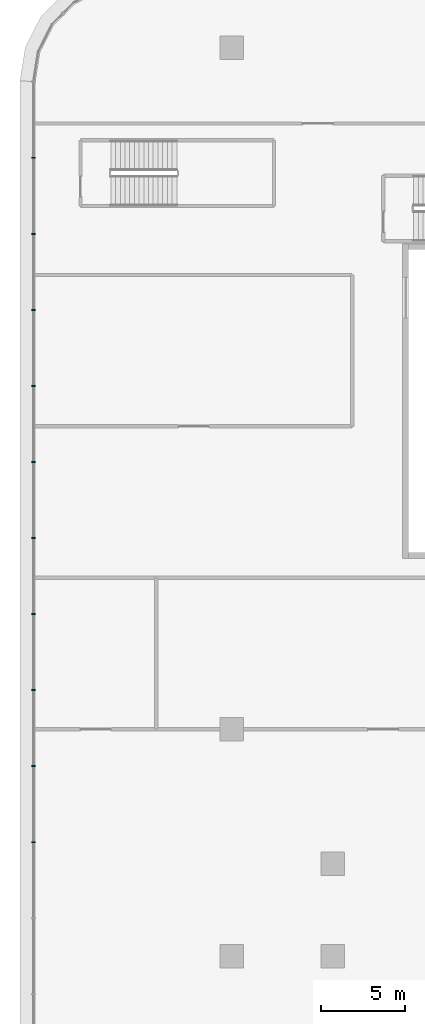
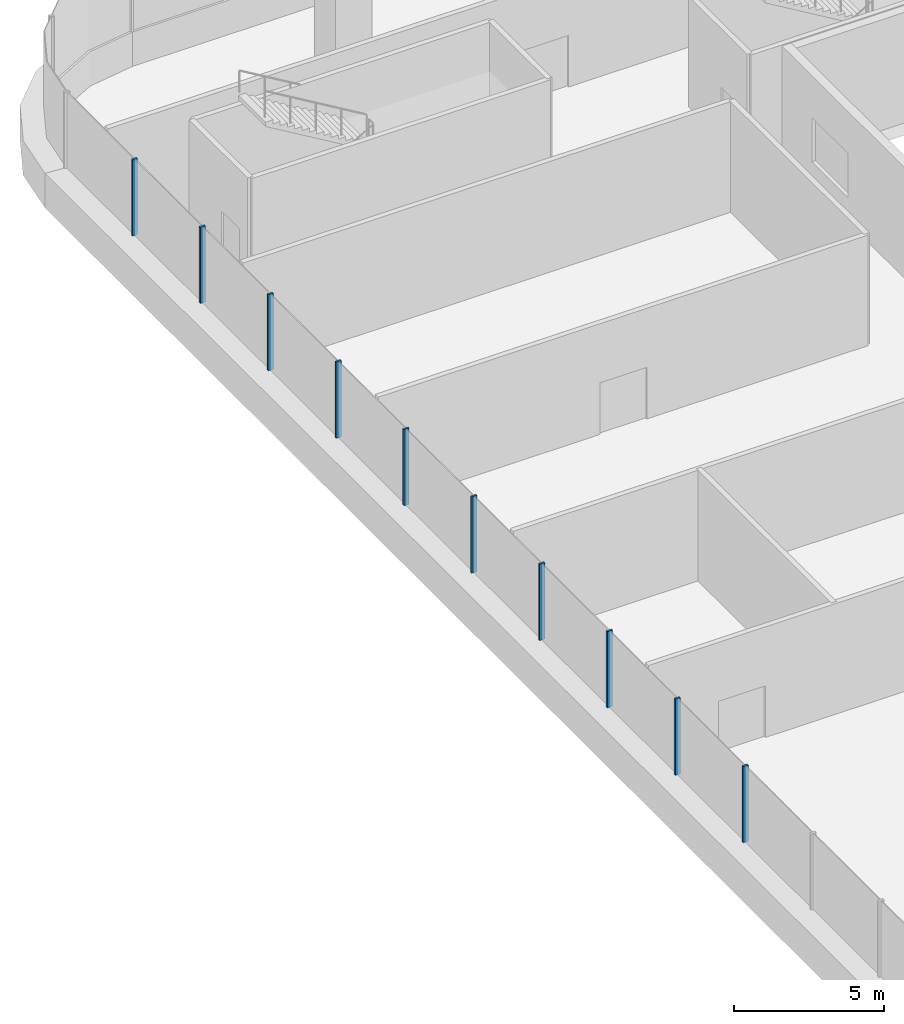
# One storey, part 10 of 44: 10 members, 1 element without a shape of its own.
"""IFC4 building model written with IfcOpenShell, lengths in metres."""

from ifc_helpers import new_model, si_unit, direction, frame, origin, origin_2d, place, context, subcontext, project, spatial, rectangle, extrude, material, layer, layer_set, material_profile, profile_set, type_object, element, aggregate, save


model = new_model("IFC4")

# Units and contexts
model_context = context("Model", 3, precision=1e-05, world=origin(), true_north=direction((0.0, 1.0)))
body_context = subcontext(model_context, "Body", "Model", "MODEL_VIEW")
ifc_project = project(units=[si_unit("LENGTHUNIT", "METRE"), si_unit("AREAUNIT", "SQUARE_METRE"), si_unit("VOLUMEUNIT", "CUBIC_METRE"), si_unit("PLANEANGLEUNIT", "RADIAN"), si_unit("MASSUNIT", "GRAM", prefix="KILO")], contexts=[model_context])

# Site, building, storey
site_placement = place(None, origin())
site = spatial("IfcSite", under=ifc_project, at=site_placement, CompositionType="ELEMENT")
building_placement = place(site_placement, origin())
building = spatial("IfcBuilding", under=site, at=building_placement, Name="Tamarind Cross Interchange Tower", CompositionType="ELEMENT")
storey_placement = place(building_placement, frame((0.0, 0.0, 15.0)))
storey = spatial("IfcBuildingStorey", under=building, at=storey_placement, Name="L02", CompositionType="ELEMENT", Elevation=15.0)

# Curtain wall, members
ifc_material = material(Name="Aluminium 6063-T6", Category="aluminium")
ifc_layer = layer(ifc_material, 0.199951171875)
ifc_layer_set = layer_set([ifc_layer], Name="Aluminium 6063-T6")
curtain_wall_type = type_object("IfcCurtainWallType", Name="Podium shopfront and station curtain wall", PredefinedType="NOTDEFINED", material=ifc_layer_set)
curtain_wall_placement = place(storey_placement, origin())
curtain_wall = element("IfcCurtainWall", 1, at=curtain_wall_placement, inside=storey, type_object=curtain_wall_type, Name="CWS-L02-04", PredefinedType="NOTDEFINED")
ifc_material_profile = material_profile(ifc_material, rectangle(XDim=0.080078125, YDim=0.199951171875, at=origin_2d()), Name="Mullion CW3")
ifc_profile_set = profile_set([ifc_material_profile], Name="Aluminium 6063-T6")
member_type = type_object("IfcMemberType", Name="Mullion CW3", PredefinedType="MULLION", material=ifc_profile_set)
member_1_placement = place(storey_placement, frame((-65.800048828125, 47.4638671875, 1.39990234375), z_axis=(0.0, 0.0, 1.0), x_axis=(0.0, -1.0, 0.0)))
member_1 = element("IfcMember", 2, at=member_1_placement, type_object=member_type, Name="CWM-L02-04-01", PredefinedType="MULLION", context=body_context, shape_type="SweptSolid", body=[
    extrude(rectangle(XDim=0.080078125, YDim=0.199951171875, at=origin_2d()), origin(), (0.0, 0.0, 1.0), 3.10009765625),
])
member_2_placement = place(storey_placement, frame((-65.800048828125, 42.943603515625, 1.39990234375), z_axis=(0.0, 0.0, 1.0), x_axis=(0.0, -1.0, 0.0)))
member_2 = element("IfcMember", 3, at=member_2_placement, type_object=member_type, Name="CWM-L02-04-02", PredefinedType="MULLION", context=body_context, shape_type="SweptSolid", body=[
    extrude(rectangle(XDim=0.080078125, YDim=0.199951171875, at=origin_2d()), origin(), (0.0, 0.0, 1.0), 3.10009765625),
])
member_3_placement = place(storey_placement, frame((-65.800048828125, 38.423095703125, 1.39990234375), z_axis=(0.0, 0.0, 1.0), x_axis=(0.0, -1.0, 0.0)))
member_3 = element("IfcMember", 4, at=member_3_placement, type_object=member_type, Name="CWM-L02-04-03", PredefinedType="MULLION", context=body_context, shape_type="SweptSolid", body=[
    extrude(rectangle(XDim=0.080078125, YDim=0.199951171875, at=origin_2d()), origin(), (0.0, 0.0, 1.0), 3.10009765625),
])
member_4_placement = place(storey_placement, frame((-65.800048828125, 33.90283203125, 1.39990234375), z_axis=(0.0, 0.0, 1.0), x_axis=(0.0, -1.0, 0.0)))
member_4 = element("IfcMember", 5, at=member_4_placement, type_object=member_type, Name="CWM-L02-04-04", PredefinedType="MULLION", context=body_context, shape_type="SweptSolid", body=[
    extrude(rectangle(XDim=0.080078125, YDim=0.199951171875, at=origin_2d()), origin(), (0.0, 0.0, 1.0), 3.10009765625),
])
member_5_placement = place(storey_placement, frame((-65.800048828125, 29.38232421875, 1.39990234375), z_axis=(0.0, 0.0, 1.0), x_axis=(0.0, -1.0, 0.0)))
member_5 = element("IfcMember", 6, at=member_5_placement, type_object=member_type, Name="CWM-L02-04-05", PredefinedType="MULLION", context=body_context, shape_type="SweptSolid", body=[
    extrude(rectangle(XDim=0.080078125, YDim=0.199951171875, at=origin_2d()), origin(), (0.0, 0.0, 1.0), 3.10009765625),
])
member_6_placement = place(storey_placement, frame((-65.800048828125, 24.862060546875, 1.39990234375), z_axis=(0.0, 0.0, 1.0), x_axis=(0.0, -1.0, 0.0)))
member_6 = element("IfcMember", 7, at=member_6_placement, type_object=member_type, Name="CWM-L02-04-06", PredefinedType="MULLION", context=body_context, shape_type="SweptSolid", body=[
    extrude(rectangle(XDim=0.080078125, YDim=0.199951171875, at=origin_2d()), origin(), (0.0, 0.0, 1.0), 3.10009765625),
])
member_7_placement = place(storey_placement, frame((-65.800048828125, 20.341552734375, 1.39990234375), z_axis=(0.0, 0.0, 1.0), x_axis=(0.0, -1.0, 0.0)))
member_7 = element("IfcMember", 8, at=member_7_placement, type_object=member_type, Name="CWM-L02-04-07", PredefinedType="MULLION", context=body_context, shape_type="SweptSolid", body=[
    extrude(rectangle(XDim=0.080078125, YDim=0.199951171875, at=origin_2d()), origin(), (0.0, 0.0, 1.0), 3.10009765625),
])
member_8_placement = place(storey_placement, frame((-65.800048828125, 15.8212890625, 1.39990234375), z_axis=(0.0, 0.0, 1.0), x_axis=(0.0, -1.0, 0.0)))
member_8 = element("IfcMember", 9, at=member_8_placement, type_object=member_type, Name="CWM-L02-04-08", PredefinedType="MULLION", context=body_context, shape_type="SweptSolid", body=[
    extrude(rectangle(XDim=0.080078125, YDim=0.199951171875, at=origin_2d()), origin(), (0.0, 0.0, 1.0), 3.10009765625),
])
member_9_placement = place(storey_placement, frame((-65.800048828125, 11.301025390625, 1.39990234375), z_axis=(0.0, 0.0, 1.0), x_axis=(0.0, -1.0, 0.0)))
member_9 = element("IfcMember", 10, at=member_9_placement, type_object=member_type, Name="CWM-L02-04-09", PredefinedType="MULLION", context=body_context, shape_type="SweptSolid", body=[
    extrude(rectangle(XDim=0.080078125, YDim=0.199951171875, at=origin_2d()), origin(), (0.0, 0.0, 1.0), 3.10009765625),
])
member_10_placement = place(storey_placement, frame((-65.800048828125, 6.780517578125, 1.39990234375), z_axis=(0.0, 0.0, 1.0), x_axis=(0.0, -1.0, 0.0)))
member_10 = element("IfcMember", 11, at=member_10_placement, type_object=member_type, Name="CWM-L02-04-10", PredefinedType="MULLION", context=body_context, shape_type="SweptSolid", body=[
    extrude(rectangle(XDim=0.080078125, YDim=0.199951171875, at=origin_2d()), origin(), (0.0, 0.0, 1.0), 3.10009765625),
])
aggregate(curtain_wall, [member_1, member_2, member_3, member_4, member_5, member_6, member_7, member_8, member_9, member_10])

save(model, "model.ifc")
